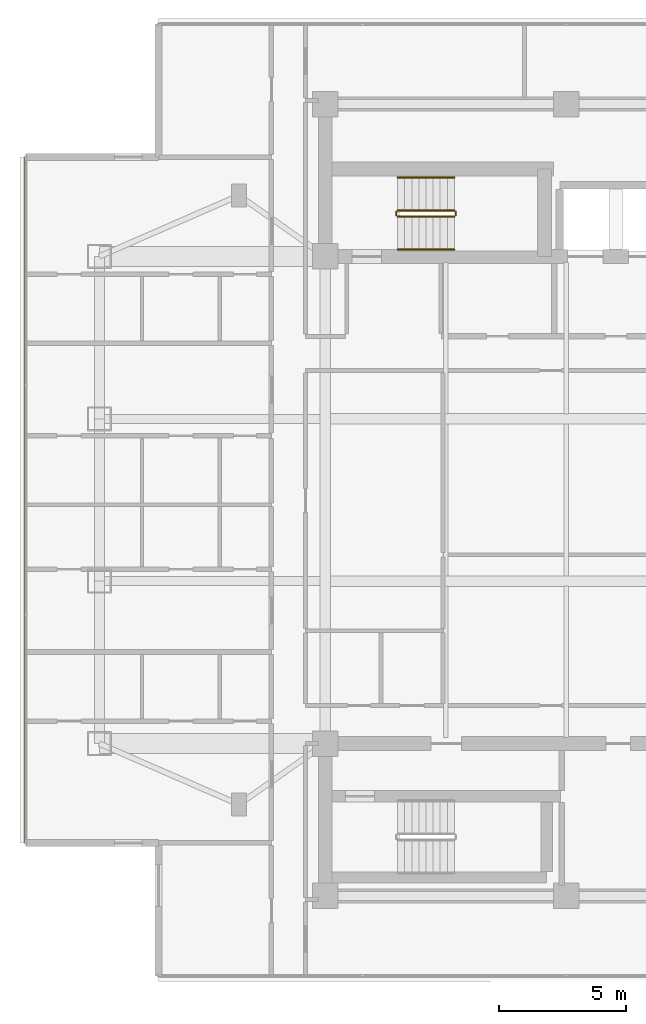
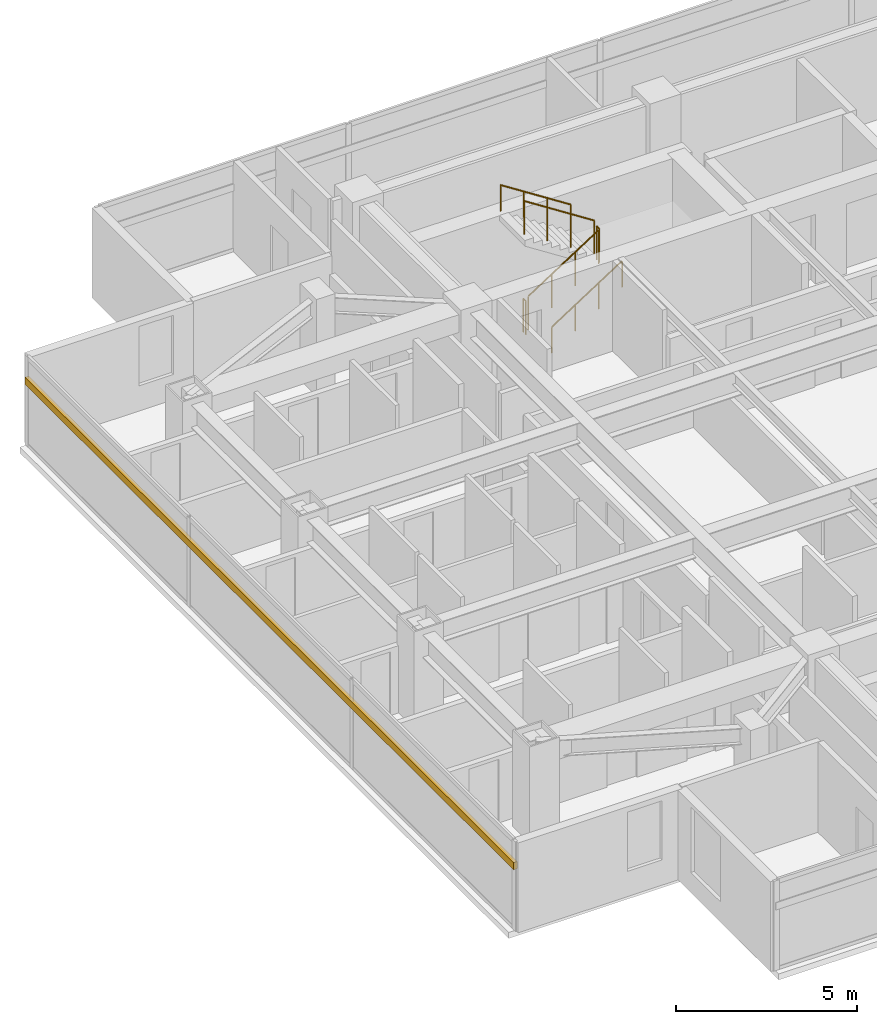
# One storey, part 21 of 25: 6 railings, 1 shading device.
"""IFC4 building model written with IfcOpenShell, lengths in metres."""

from ifc_helpers import new_model, si_unit, direction, frame, origin, origin_2d, place, context, subcontext, project, spatial, rectangle, circle, extrude, material, material_profile, profile_set, type_object, element, save


model = new_model("IFC4")

# Units and contexts
model_context = context("Model", 3, precision=1e-05, world=origin(), true_north=direction((0.0, 1.0)))
body_context = subcontext(model_context, "Body", "Model", "MODEL_VIEW")
ifc_project = project(units=[si_unit("LENGTHUNIT", "METRE"), si_unit("AREAUNIT", "SQUARE_METRE"), si_unit("VOLUMEUNIT", "CUBIC_METRE"), si_unit("PLANEANGLEUNIT", "RADIAN"), si_unit("MASSUNIT", "GRAM", prefix="KILO")], contexts=[model_context])

# Site, building, storey
site_placement = place(None, origin())
site = spatial("IfcSite", under=ifc_project, at=site_placement, CompositionType="ELEMENT")
building_placement = place(site_placement, origin())
building = spatial("IfcBuilding", under=site, at=building_placement, Name="Mirazonda Arch Towers", CompositionType="ELEMENT")
storey_placement = place(building_placement, frame((0.0, 0.0, 173.89990234375)))
storey = spatial("IfcBuildingStorey", under=building, at=storey_placement, Name="L49", CompositionType="ELEMENT", Elevation=173.89990234375)

# Shading device
ifc_material_1 = material(Name="Kiln-Fired Architectural Terracotta", Category="masonry")
ifc_material_profile = material_profile(ifc_material_1, rectangle(XDim=0.1201171875, YDim=0.239990234375, at=origin_2d()), Name="TERRA-BAG-120x240")
ifc_profile_set = profile_set([ifc_material_profile], Name="Kiln-Fired Architectural Terracotta")
shading_device_type = type_object("IfcShadingDeviceType", Name="BAGUETTE-1", PredefinedType="USERDEFINED", material=ifc_profile_set)
shading_device_placement = place(storey_placement, frame((-0.81005859375, 41.512939453125, 2.181640625), z_axis=(0.0, -1.0, 0.0), x_axis=(1.0, 0.0, 0.0)))
element("IfcShadingDevice", 1, at=shading_device_placement, inside=storey, type_object=shading_device_type, Name="L49 Glazed Terracotta Sun-Screen Baguette CW-L49-T1-W", ObjectType="BAGUETTE", PredefinedType="USERDEFINED", context=body_context, shape_type="SweptSolid", body=[
    extrude(rectangle(XDim=0.1201171875, YDim=0.239990234375, at=origin_2d()), origin(), (0.0, 0.0, 1.0), 27.02587890625),
])

# Railings
ifc_material_2 = material(Name="Architectural Brushed Steel S355", Category="steel")
railing_type_1 = type_object("IfcRailingType", Name="GUARD-STAIR-1120", PredefinedType="GUARDRAIL", material=ifc_material_2)
railing_1_placement = place(storey_placement, frame((13.85009765625, 39.169921875, 0.1806640625)))
element("IfcRailing", 2, at=railing_1_placement, inside=storey, type_object=railing_type_1, Name="L49 ST-T1N stair guard 1", PredefinedType="GUARDRAIL", context=body_context, shape_type="SweptSolid", body=[
    extrude(circle(Radius=0.02392578125, at=origin_2d()), frame((0.0, 0.0, 1.1259765625), z_axis=(0.840436612492, 0.0, 0.541909863706), x_axis=(0.0, 1.0, 0.0)), (0.0, 0.0, 1.0), 2.665283203125),
    extrude(circle(Radius=0.02099609375, at=origin_2d()), origin(), (0.0, 0.0, 1.0), 1.101806640625),
    extrude(circle(Radius=0.02099609375, at=origin_2d()), frame((0.74658203125, 0.0, 0.4814453125)), (0.0, 0.0, 1.0), 1.101806640625),
    extrude(circle(Radius=0.02099609375, at=origin_2d()), frame((1.493408203125, 0.0, 0.962890625)), (0.0, 0.0, 1.0), 1.101806640625),
    extrude(circle(Radius=0.02099609375, at=origin_2d()), frame((2.239990234375, 0.0, 1.4443359375)), (0.0, 0.0, 1.0), 1.101806640625),
])
railing_2_placement = place(storey_placement, frame((16.139892578125, 39.219970703125, 1.625)))
element("IfcRailing", 3, at=railing_2_placement, inside=storey, type_object=railing_type_1, Name="L49 ST-T1N stair guard 2", PredefinedType="GUARDRAIL", context=body_context, shape_type="SweptSolid", body=[
    extrude(circle(Radius=0.02392578125, at=origin_2d()), frame((0.0, 0.0, 1.1259765625), z_axis=(0.0, 1.0, 0.0), x_axis=(-1.0, 0.0, 0.0)), (0.0, 0.0, 1.0), 0.14013671875),
    extrude(circle(Radius=0.02099609375, at=origin_2d()), origin(), (0.0, 0.0, 1.0), 1.101806640625),
    extrude(circle(Radius=0.02099609375, at=origin_2d()), frame((0.0, 0.14013671875, 0.0)), (0.0, 0.0, 1.0), 1.101806640625),
])
railing_3_placement = place(storey_placement, frame((16.090087890625, 39.409912109375, 1.8056640625)))
element("IfcRailing", 4, at=railing_3_placement, inside=storey, type_object=railing_type_1, Name="L49 ST-T1N stair guard 3", PredefinedType="GUARDRAIL", context=body_context, shape_type="SweptSolid", body=[
    extrude(circle(Radius=0.02392578125, at=origin_2d()), frame((0.0, 0.0, 1.1259765625), z_axis=(-0.840436612492, 0.0, 0.541909863706), x_axis=(0.0, -1.0, 0.0)), (0.0, 0.0, 1.0), 2.665283203125),
    extrude(circle(Radius=0.02099609375, at=origin_2d()), origin(), (0.0, 0.0, 1.0), 1.101806640625),
    extrude(circle(Radius=0.02099609375, at=origin_2d()), frame((-0.74658203125, 0.0, 0.4814453125)), (0.0, 0.0, 1.0), 1.101806640625),
    extrude(circle(Radius=0.02099609375, at=origin_2d()), frame((-1.493408203125, 0.0, 0.962890625)), (0.0, 0.0, 1.0), 1.101806640625),
    extrude(circle(Radius=0.02099609375, at=origin_2d()), frame((-2.239990234375, 0.0, 1.4443359375)), (0.0, 0.0, 1.0), 1.101806640625),
])
railing_4_placement = place(storey_placement, frame((13.800048828125, 39.219970703125, 0.0)))
element("IfcRailing", 5, at=railing_4_placement, inside=storey, type_object=railing_type_1, Name="L49 ST-T1N stair guard 4", PredefinedType="GUARDRAIL", context=body_context, shape_type="SweptSolid", body=[
    extrude(circle(Radius=0.02392578125, at=origin_2d()), frame((0.0, 0.0, 1.1259765625), z_axis=(0.0, 1.0, 0.0), x_axis=(-1.0, 0.0, 0.0)), (0.0, 0.0, 1.0), 0.14013671875),
    extrude(circle(Radius=0.02099609375, at=origin_2d()), origin(), (0.0, 0.0, 1.0), 1.101806640625),
    extrude(circle(Radius=0.02099609375, at=origin_2d()), frame((0.0, 0.14013671875, 0.0)), (0.0, 0.0, 1.0), 1.101806640625),
])
railing_type_2 = type_object("IfcRailingType", Name="HANDRAIL-915", PredefinedType="HANDRAIL", material=ifc_material_2)
railing_5_placement = place(storey_placement, frame((13.85009765625, 37.8701171875, 0.1806640625)))
element("IfcRailing", 6, at=railing_5_placement, inside=storey, type_object=railing_type_2, Name="L49 ST-T1N stair handrail 1", PredefinedType="HANDRAIL", context=body_context, shape_type="SweptSolid", body=[
    extrude(circle(Radius=0.02392578125, at=origin_2d()), frame((0.0, 0.0, 0.8759765625), z_axis=(0.840436612492, 0.0, 0.541909863706), x_axis=(0.0, 1.0, 0.0)), (0.0, 0.0, 1.0), 2.665283203125),
    extrude(circle(Radius=0.02099609375, at=origin_2d()), origin(), (0.0, 0.0, 1.0), 0.851806640625),
    extrude(circle(Radius=0.02099609375, at=origin_2d()), frame((0.74658203125, 0.0, 0.4814453125)), (0.0, 0.0, 1.0), 0.851806640625),
    extrude(circle(Radius=0.02099609375, at=origin_2d()), frame((1.493408203125, 0.0, 0.962890625)), (0.0, 0.0, 1.0), 0.851806640625),
    extrude(circle(Radius=0.02099609375, at=origin_2d()), frame((2.239990234375, 0.0, 1.4443359375)), (0.0, 0.0, 1.0), 0.851806640625),
])
railing_6_placement = place(storey_placement, frame((16.090087890625, 40.7099609375, 1.8056640625)))
element("IfcRailing", 7, at=railing_6_placement, inside=storey, type_object=railing_type_2, Name="L49 ST-T1N stair handrail 2", PredefinedType="HANDRAIL", context=body_context, shape_type="SweptSolid", body=[
    extrude(circle(Radius=0.02392578125, at=origin_2d()), frame((0.0, 0.0, 0.8759765625), z_axis=(-0.840436612492, 0.0, 0.541909863706), x_axis=(0.0, -1.0, 0.0)), (0.0, 0.0, 1.0), 2.665283203125),
    extrude(circle(Radius=0.02099609375, at=origin_2d()), origin(), (0.0, 0.0, 1.0), 0.851806640625),
    extrude(circle(Radius=0.02099609375, at=origin_2d()), frame((-0.74658203125, 0.0, 0.4814453125)), (0.0, 0.0, 1.0), 0.851806640625),
    extrude(circle(Radius=0.02099609375, at=origin_2d()), frame((-1.493408203125, 0.0, 0.962890625)), (0.0, 0.0, 1.0), 0.851806640625),
    extrude(circle(Radius=0.02099609375, at=origin_2d()), frame((-2.239990234375, 0.0, 1.4443359375)), (0.0, 0.0, 1.0), 0.851806640625),
])

save(model, "model.ifc")
